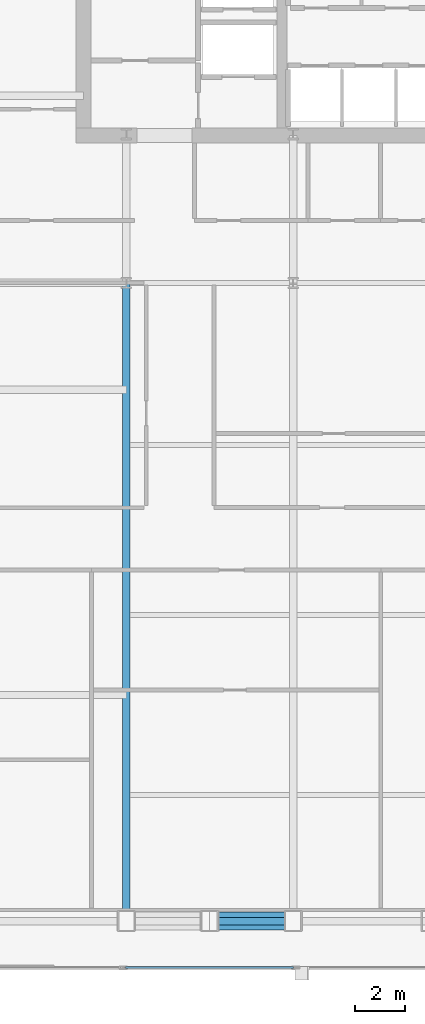
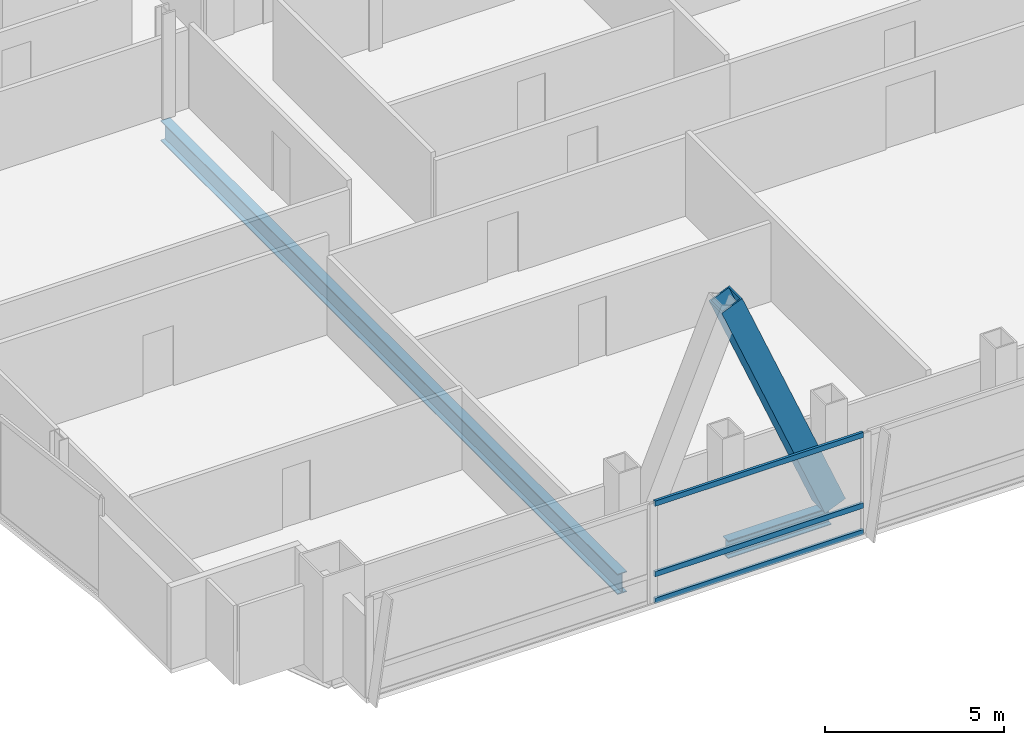
# One storey, part 7 of 29: 4 members, 2 beams, 1 element without a shape of its own.
"""IFC4 building model written with IfcOpenShell, lengths in metres."""

from ifc_helpers import new_model, si_unit, direction, frame, origin, origin_2d, place, context, subcontext, project, spatial, hollow_rectangle, i_section, extrude, material, material_profile, profile_set, type_object, element, aggregate, save


model = new_model("IFC4")

# Units and contexts
model_context = context("Model", 3, precision=1e-05, world=origin(), true_north=direction((0.0, 1.0)))
body_context = subcontext(model_context, "Body", "Model", "MODEL_VIEW")
ifc_project = project(units=[si_unit("LENGTHUNIT", "METRE"), si_unit("AREAUNIT", "SQUARE_METRE"), si_unit("VOLUMEUNIT", "CUBIC_METRE"), si_unit("PLANEANGLEUNIT", "RADIAN"), si_unit("MASSUNIT", "GRAM", prefix="KILO")], contexts=[model_context])

# Site, building, storey
site_placement = place(None, origin())
site = spatial("IfcSite", under=ifc_project, at=site_placement, CompositionType="ELEMENT")
building_placement = place(site_placement, origin())
building = spatial("IfcBuilding", under=site, at=building_placement, Name="Khoronbel Lancet Exchange", CompositionType="ELEMENT")
storey_placement = place(building_placement, frame((0.0, 0.0, 180.60009765625)))
storey = spatial("IfcBuildingStorey", under=building, at=storey_placement, Name="L45", CompositionType="ELEMENT", Elevation=180.60009765625)

# Beams
ifc_material_1 = material(Name="Steel S355", Category="steel")
ifc_material_profile_1 = material_profile(ifc_material_1, i_section(OverallWidth=0.300048828125, OverallDepth=0.699951171875, WebThickness=0.01708984375, FlangeThickness=0.031982421875, at=origin_2d()), Name="HEB 700")
ifc_profile_set_1 = profile_set([ifc_material_profile_1], Name="Steel S355")
beam_type_1 = type_object("IfcBeamType", Name="BM-BG3", PredefinedType="BEAM", material=ifc_profile_set_1)
beam_1_placement = place(storey_placement, frame((18.22509765625, 10.14990234375, -0.510009765625), z_axis=(0.0, 1.0, 0.0), x_axis=(-1.0, 0.0, 0.0)))
element("IfcBeam", 1, at=beam_1_placement, inside=storey, type_object=beam_type_1, Name="Level L45 south primary girder GS1", PredefinedType="BEAM", context=body_context, shape_type="SweptSolid", body=[
    extrude(i_section(OverallWidth=0.300048828125, OverallDepth=0.699951171875, WebThickness=0.01708984375, FlangeThickness=0.031982421875, at=origin_2d()), origin(), (0.0, 0.0, 1.0), 25.550048828125),
])
ifc_material_profile_2 = material_profile(ifc_material_1, i_section(OverallWidth=0.300048828125, OverallDepth=0.60009765625, WebThickness=0.015380859375, FlangeThickness=0.030029296875, at=origin_2d()), Name="HEB 600")
ifc_profile_set_2 = profile_set([ifc_material_profile_2], Name="Steel S355")
beam_type_2 = type_object("IfcBeamType", Name="BM-BSP2", PredefinedType="SPANDREL", material=ifc_profile_set_2)
beam_2_placement = place(storey_placement, frame((21.5625, 10.14990234375, -0.460205078125), z_axis=(1.0, 0.0, 0.0), x_axis=(0.0, 1.0, 0.0)))
element("IfcBeam", 2, at=beam_2_placement, inside=storey, type_object=beam_type_2, Name="Level L45 perimeter spandrel beam SP03", PredefinedType="SPANDREL", context=body_context, shape_type="SweptSolid", body=[
    extrude(i_section(OverallWidth=0.300048828125, OverallDepth=0.60009765625, WebThickness=0.015380859375, FlangeThickness=0.030029296875, at=origin_2d()), origin(), (0.0, 0.0, 1.0), 3.33740234375),
])

# Curtain wall, members
ifc_material_2 = material(Name="Low-E Solar Control Insulating Glass", Category="glass")
curtain_wall_type = type_object("IfcCurtainWallType", Name="CW-3", PredefinedType="NOTDEFINED", material=ifc_material_2)
curtain_wall_placement = place(storey_placement, origin())
curtain_wall = element("IfcCurtainWall", 3, at=curtain_wall_placement, inside=storey, type_object=curtain_wall_type, Name="Unitised curtain wall CW-L45-SWB", PredefinedType="NOTDEFINED")
ifc_material_3 = material(Name="Bronze-Anodised Aluminium 6063-T6", Category="aluminium")
ifc_material_profile_3 = material_profile(ifc_material_3, hollow_rectangle(XDim=0.0849609375, YDim=0.179931640625, WallThickness=0.0048828125, at=origin_2d()), Name="ALU TRANSOM 85x180")
ifc_profile_set_3 = profile_set([ifc_material_profile_3], Name="Bronze-Anodised Aluminium 6063-T6")
member_type_1 = type_object("IfcMemberType", Name="MEM-CWT1", PredefinedType="USERDEFINED", material=ifc_profile_set_3)
member_1_placement = place(storey_placement, frame((18.18505859375, 8.2900390625, 0.04248046875), z_axis=(1.0, 0.0, 0.0), x_axis=(0.0, 1.0, 0.0)))
member_1 = element("IfcMember", 4, at=member_1_placement, type_object=member_type_1, Name="CW3 transom 1.1", ObjectType="TRANSOM", PredefinedType="USERDEFINED", context=body_context, shape_type="SweptSolid", body=[
    extrude(hollow_rectangle(XDim=0.0849609375, YDim=0.179931640625, WallThickness=0.0048828125, at=origin_2d()), origin(), (0.0, 0.0, 1.0), 6.72998046875),
])
member_2_placement = place(storey_placement, frame((18.18505859375, 8.2900390625, 0.949951171875), z_axis=(1.0, 0.0, 0.0), x_axis=(0.0, 1.0, 0.0)))
member_2 = element("IfcMember", 5, at=member_2_placement, type_object=member_type_1, Name="CW3 transom 1.2", ObjectType="TRANSOM", PredefinedType="USERDEFINED", context=body_context, shape_type="SweptSolid", body=[
    extrude(hollow_rectangle(XDim=0.0849609375, YDim=0.179931640625, WallThickness=0.0048828125, at=origin_2d()), origin(), (0.0, 0.0, 1.0), 6.72998046875),
])
member_3_placement = place(storey_placement, frame((18.18505859375, 8.2900390625, 3.357421875), z_axis=(1.0, 0.0, 0.0), x_axis=(0.0, 1.0, 0.0)))
member_3 = element("IfcMember", 6, at=member_3_placement, type_object=member_type_1, Name="CW3 transom 1.3", ObjectType="TRANSOM", PredefinedType="USERDEFINED", context=body_context, shape_type="SweptSolid", body=[
    extrude(hollow_rectangle(XDim=0.0849609375, YDim=0.179931640625, WallThickness=0.0048828125, at=origin_2d()), origin(), (0.0, 0.0, 1.0), 6.72998046875),
])
aggregate(curtain_wall, [member_1, member_2, member_3])

# Member
ifc_material_4 = material(Name="Steel S460", Category="steel")
ifc_material_profile_4 = material_profile(ifc_material_4, hollow_rectangle(XDim=0.719970703125, YDim=0.719970703125, WallThickness=0.050048828125, at=origin_2d()), Name="BOX 720x720x50")
ifc_profile_set_4 = profile_set([ifc_material_profile_4], Name="Steel S460")
member_type_2 = type_object("IfcMemberType", Name="MEM-MB2", PredefinedType="BRACE", material=ifc_profile_set_4)
member_4_placement = place(storey_placement, frame((24.89990234375, 10.14990234375, 0.0), z_axis=(-0.385015324606, 0.0, 0.922910179713), x_axis=(0.0, -1.0, 0.0)))
element("IfcMember", 7, at=member_4_placement, inside=storey, type_object=member_type_2, Name="Perimeter lancet brace tier 15 S-W-R", PredefinedType="BRACE", context=body_context, shape_type="SweptSolid", body=[
    extrude(hollow_rectangle(XDim=0.719970703125, YDim=0.719970703125, WallThickness=0.050048828125, at=origin_2d()), origin(), (0.0, 0.0, 1.0), 8.668212890625),
])

save(model, "model.ifc")
